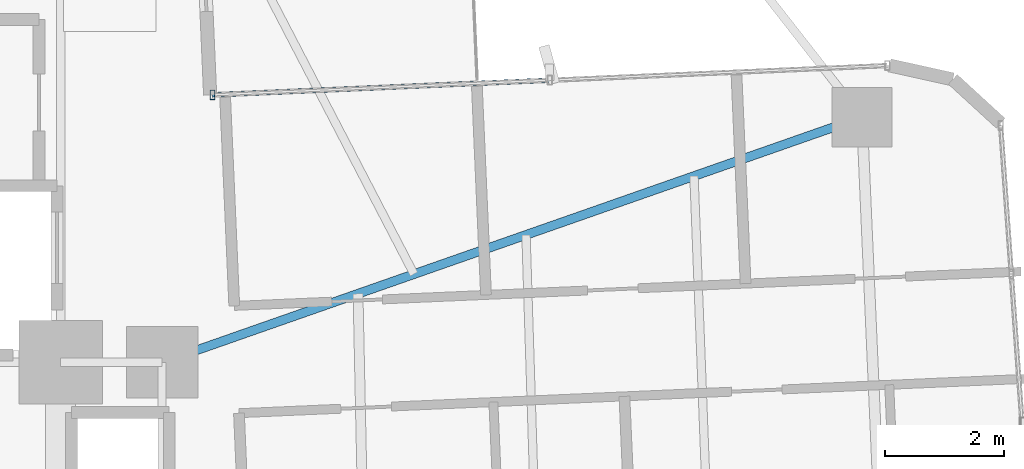
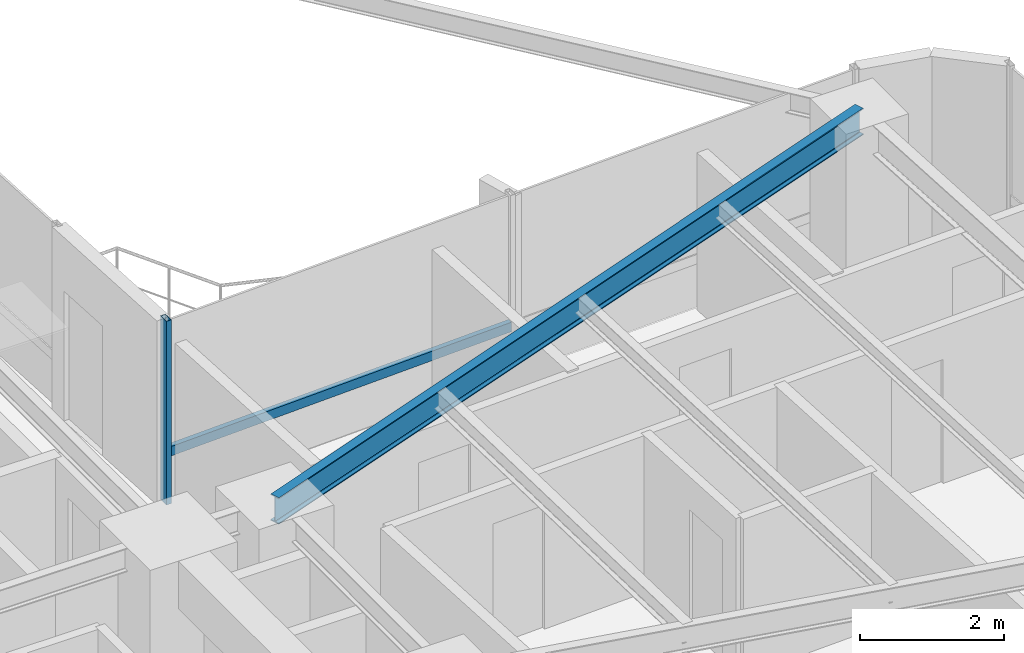
# One storey, part 13 of 26: 2 members, 1 beam, 1 element without a shape of its own.
"""IFC4 building model written with IfcOpenShell, lengths in metres."""

from ifc_helpers import new_model, si_unit, direction, frame, origin, origin_2d, place, context, subcontext, project, spatial, hollow_rectangle, i_section, extrude, source, transform, mapped, material, material_profile, profile_set, type_object, element, aggregate, save


model = new_model("IFC4")

# Units and contexts
model_context = context("Model", 3, precision=1e-05, world=origin(), true_north=direction((0.0, 1.0)))
body_context = subcontext(model_context, "Body", "Model", "MODEL_VIEW")
ifc_project = project(units=[si_unit("LENGTHUNIT", "METRE"), si_unit("AREAUNIT", "SQUARE_METRE"), si_unit("VOLUMEUNIT", "CUBIC_METRE"), si_unit("PLANEANGLEUNIT", "RADIAN"), si_unit("MASSUNIT", "GRAM", prefix="KILO")], contexts=[model_context])

# Site, building, storey
site_placement = place(None, origin())
site = spatial("IfcSite", under=ifc_project, at=site_placement, CompositionType="ELEMENT")
building_placement = place(site_placement, origin())
building = spatial("IfcBuilding", under=site, at=building_placement, Name="Sahyath Konkavel Grand Hotel", CompositionType="ELEMENT")
storey_placement = place(building_placement, frame((0.0, 0.0, 83.5)))
storey = spatial("IfcBuildingStorey", under=building, at=storey_placement, Name="L22", CompositionType="ELEMENT", Elevation=83.5)

# Beam
ifc_material_1 = material(Name="Steel E350", Category="steel")
ifc_material_profile_1 = material_profile(ifc_material_1, i_section(OverallWidth=0.14990234375, OverallDepth=0.449951171875, WebThickness=0.009521484375, FlangeThickness=0.017333984375, FilletRadius=0.014892578125, at=origin_2d()), Name="ISMB 450")
ifc_profile_set_1 = profile_set([ifc_material_profile_1], Name="Steel E350")
beam_type = type_object("IfcBeamType", Name="BM-ISMB450", PredefinedType="BEAM", material=ifc_profile_set_1)
shared_shape_1 = source(origin(), body_context, "Body", "SweptSolid", [
    extrude(i_section(OverallWidth=0.14990234375, OverallDepth=0.449951171875, WebThickness=0.009521484375, FlangeThickness=0.017333984375, FilletRadius=0.014892578125, at=origin_2d()), origin(), (0.0, 0.0, 1.0), 12.430908203125),
])
beam_placement = place(storey_placement, frame((5.5, 2.39990234375, 2.885009765625), z_axis=(0.943819157235, 0.330462400941, 0.0), x_axis=(-0.330462400941, 0.943819157235, 0.0)))
element("IfcBeam", 1, at=beam_placement, inside=storey, type_object=beam_type, Name="L22 Cruciform Radial Girder EB", PredefinedType="BEAM", context=body_context, shape_type="MappedRepresentation", body=[
    mapped(shared_shape_1, transform((0.0, 0.0, 0.0), scale=1.0)),
])

# Curtain wall, members
ifc_material_2 = material(Name="Anodised Bronze Aluminium & Low-E Glazing", Category="aluminium")
curtain_wall_type = type_object("IfcCurtainWallType", Name="CW-ZONE2", PredefinedType="NOTDEFINED", material=ifc_material_2)
curtain_wall_placement = place(storey_placement, origin())
curtain_wall = element("IfcCurtainWall", 2, at=curtain_wall_placement, inside=storey, type_object=curtain_wall_type, Name="L22 Unitised Curtain Wall F7", PredefinedType="NOTDEFINED")
ifc_material_3 = material(Name="Anodised Bronze Aluminium", Category="aluminium")
ifc_material_profile_2 = material_profile(ifc_material_3, hollow_rectangle(XDim=0.080078125, YDim=0.159912109375, WallThickness=0.006103515625, at=origin_2d()), Name="RHS 160x80x6")
ifc_profile_set_2 = profile_set([ifc_material_profile_2], Name="Anodised Bronze Aluminium")
member_type_1 = type_object("IfcMemberType", Name="CW-MUL-160", PredefinedType="MULLION", material=ifc_profile_set_2)
shared_shape_2 = source(origin(), body_context, "Body", "SweptSolid", [
    extrude(hollow_rectangle(XDim=0.080078125, YDim=0.159912109375, WallThickness=0.006103515625, at=origin_2d()), origin(), (0.0, 0.0, 1.0), 3.110107421875),
])
member_1_placement = place(storey_placement, frame((6.345703125, 6.88330078125, 0.0), z_axis=(0.0, 0.0, 1.0), x_axis=(1.0, 0.0, 0.0)))
member_1 = element("IfcMember", 3, at=member_1_placement, type_object=member_type_1, Name="L22 Curtain Wall Mullion F7-2", PredefinedType="MULLION", context=body_context, shape_type="MappedRepresentation", body=[
    mapped(shared_shape_2, transform((0.0, 0.0, 0.0), scale=1.0)),
])
ifc_material_profile_3 = material_profile(ifc_material_3, hollow_rectangle(XDim=0.080078125, YDim=0.159912109375, WallThickness=0.006103515625, at=origin_2d()), Name="RHS 160x80x6")
ifc_profile_set_3 = profile_set([ifc_material_profile_3], Name="Anodised Bronze Aluminium")
member_type_2 = type_object("IfcMemberType", Name="CW-TRN-160", PredefinedType="USERDEFINED", material=ifc_profile_set_3)
shared_shape_3 = source(origin(), body_context, "Body", "SweptSolid", [
    extrude(hollow_rectangle(XDim=0.080078125, YDim=0.159912109375, WallThickness=0.006103515625, at=origin_2d()), origin(), (0.0, 0.0, 1.0), 5.66015625),
])
member_2_placement = place(storey_placement, frame((12.00048828125, 7.13037109375, 0.85009765625), z_axis=(-0.9990468579, -0.043650609628, 0.0), x_axis=(0.043650609628, -0.9990468579, 0.0)))
member_2 = element("IfcMember", 4, at=member_2_placement, type_object=member_type_2, Name="L22 Curtain Wall Transom F7-1-spandrel", ObjectType="TRANSOM", PredefinedType="USERDEFINED", context=body_context, shape_type="MappedRepresentation", body=[
    mapped(shared_shape_3, transform((0.0, 0.0, 0.0), scale=1.0)),
])
aggregate(curtain_wall, [member_1, member_2])

save(model, "model.ifc")
